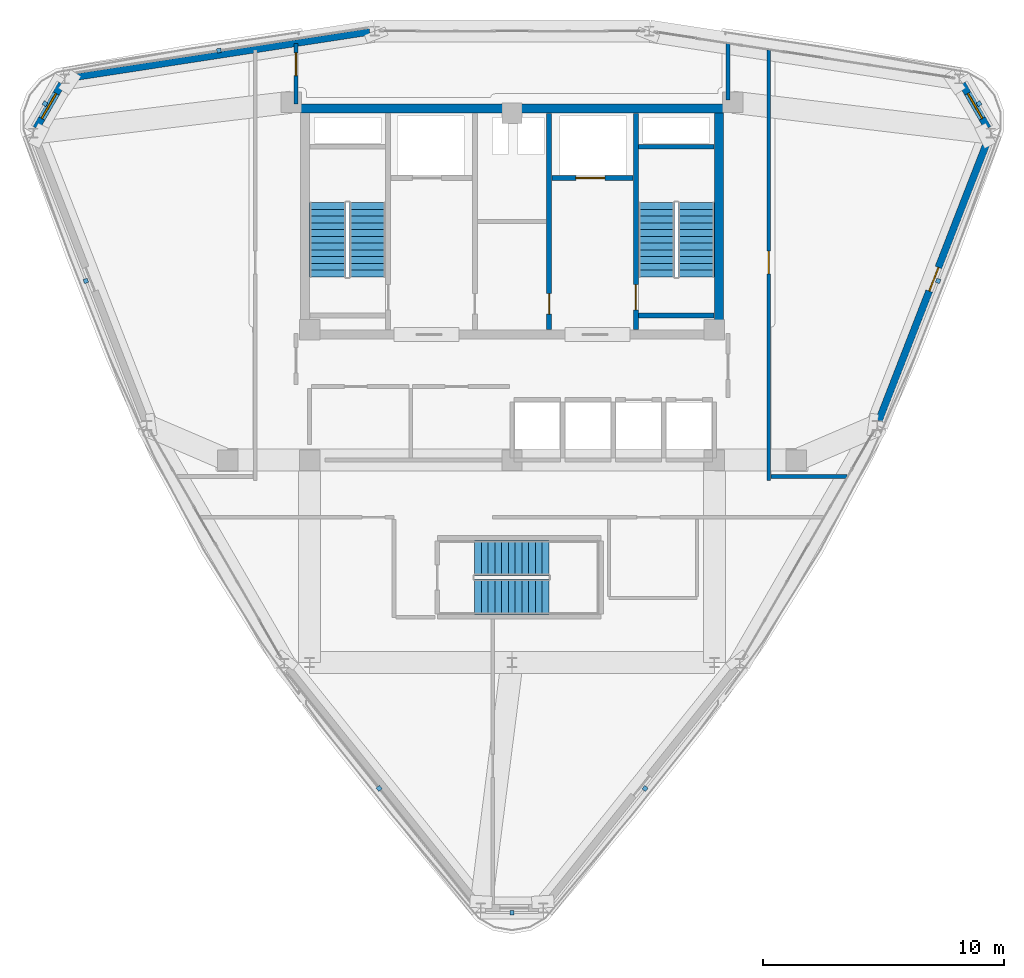
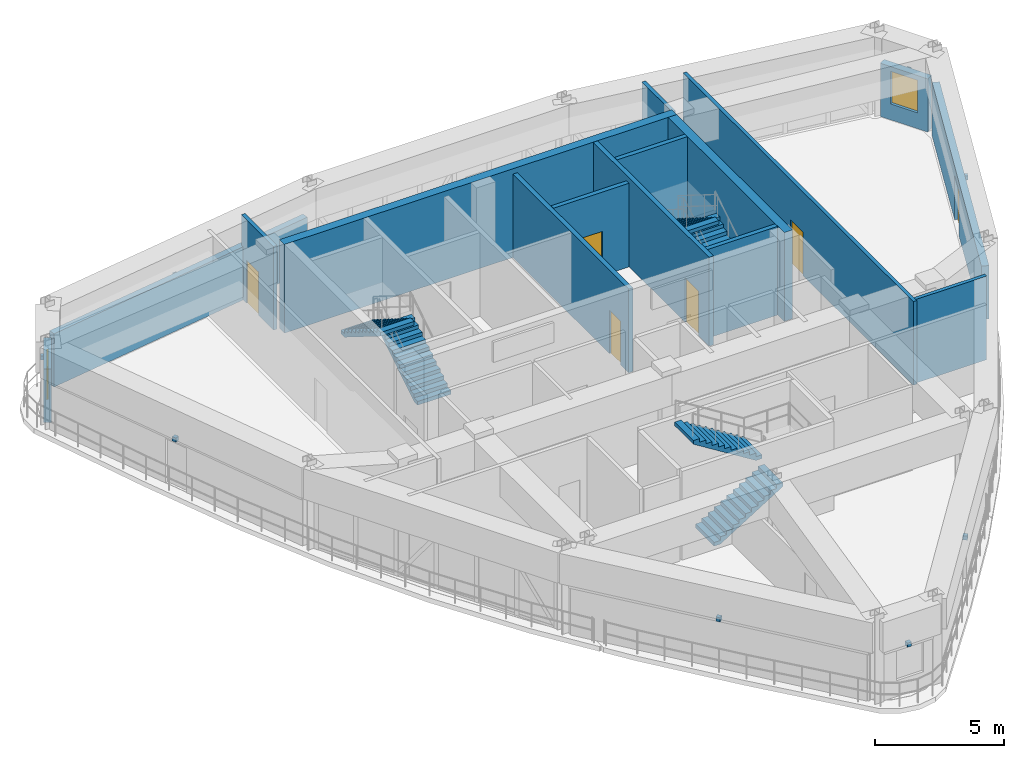
# One storey, part 14 of 18: 15 walls, 8 discrete accessories, 6 doors, 6 stair flights, 2 windows, 8 openings, 3 elements without a shape of their own.
"""IFC4 building model written with IfcOpenShell, lengths in metres."""

from ifc_helpers import new_model, si_unit, derived_unit, direction, frame, frame_2d, origin, origin_2d, place, context, subcontext, project, spatial, polyline, rectangle, outline, extrude, source, transform, mapped, material, layer, layer_set, type_object, element, fill, aggregate, save


model = new_model("IFC4")

# Units and contexts
model_context = context("Model", 3, precision=1e-05, world=origin(), true_north=direction((0.0, 1.0)))
body_context = subcontext(model_context, "Body", "Model", "MODEL_VIEW")
ifc_project = project(units=[si_unit("LENGTHUNIT", "METRE"), si_unit("AREAUNIT", "SQUARE_METRE"), si_unit("VOLUMEUNIT", "CUBIC_METRE"), si_unit("PLANEANGLEUNIT", "RADIAN"), si_unit("MASSUNIT", "GRAM", prefix="KILO"), derived_unit("THERMALTRANSMITTANCEUNIT", [(si_unit("POWERUNIT", "WATT"), 1), (si_unit("LENGTHUNIT", "METRE"), -2), (si_unit("THERMODYNAMICTEMPERATUREUNIT", "KELVIN"), -1)])], contexts=[model_context])

# Site, building, storey
site_placement = place(None, origin())
site = spatial("IfcSite", under=ifc_project, at=site_placement, CompositionType="ELEMENT")
building_placement = place(site_placement, origin())
building = spatial("IfcBuilding", under=site, at=building_placement, Name="Korsvarv Bourse and Concert Hall", CompositionType="ELEMENT")
storey_placement = place(building_placement, frame((0.0, 0.0, 275.39990234375)))
storey = spatial("IfcBuildingStorey", under=building, at=storey_placement, Name="L72", CompositionType="ELEMENT", Elevation=275.39990234375)

# Walls
ifc_material_1 = material(Name="Concrete C50/60", Category="concrete")
ifc_layer_1 = layer(ifc_material_1, 0.3798828125)
ifc_layer_set_1 = layer_set([ifc_layer_1], Name="Concrete C50/60")
wall_type_1 = type_object("IfcWallType", Name="WL-CORE-380", PredefinedType="SHEAR", material=ifc_layer_set_1)
wall_1_placement = place(storey_placement, frame((27.219970703125, 46.989990234375, 0.0), z_axis=(0.0, 0.0, 1.0), x_axis=(1.0, 0.0, 0.0)))
element("IfcWall", 1, at=wall_1_placement, inside=storey, type_object=wall_type_1, Name="L72 North Core Shear Wall", PredefinedType="SHEAR", context=body_context, shape_type="SweptSolid", body=[
    extrude(rectangle(XDim=17.56005859375, YDim=0.3798828125, at=frame_2d((8.780029296875, 0.0))), origin(), (0.0, 0.0, 1.0), 4.2001953125),
])
wall_2_placement = place(storey_placement, frame((44.590087890625, 37.800048828125, 0.0), z_axis=(0.0, 0.0, 1.0), x_axis=(0.0, 1.0, 0.0)))
element("IfcWall", 2, at=wall_2_placement, inside=storey, type_object=wall_type_1, Name="L72 East Core Shear Wall", PredefinedType="SHEAR", context=body_context, shape_type="SweptSolid", body=[
    extrude(rectangle(XDim=9.0, YDim=0.3798828125, at=frame_2d((4.5, 0.0))), origin(), (0.0, 0.0, 1.0), 4.2001953125),
])

# Wall, opening, door
wall_3_placement = place(storey_placement, frame((41.139892578125, 37.81005859375, 0.0), z_axis=(0.0, 0.0, 1.0), x_axis=(0.0, 1.0, 0.0)))
wall_3 = element("IfcWall", 3, at=wall_3_placement, inside=storey, type_object=wall_type_1, Name="L72 stair shaft structural wall W-L72-ST2-W", PredefinedType="SHEAR", context=body_context, shape_type="SweptSolid", body=[
    extrude(rectangle(XDim=8.97998046875, YDim=0.199951171875, at=frame_2d((4.489990234375, 0.0))), origin(), (0.0, 0.0, 1.0), 4.2001953125),
])
opening_1_placement = place(wall_3_placement, frame((0.820068359375, 0.0, 0.0)))
opening_1 = element("IfcOpeningElement", 4, at=opening_1_placement, cuts=wall_3, Name="Opening D-01", PredefinedType="OPENING", context=body_context, shape_type="SweptSolid", body=[
    extrude(rectangle(XDim=1.050048828125, YDim=2.10009765625, at=frame_2d((0.52490234375, 1.050048828125))), frame((0.0, 0.10986328125, 0.0), z_axis=(0.0, -1.0, 0.0), x_axis=(1.0, 0.0, 0.0)), (0.0, 0.0, 1.0), 0.219970703125),
])
ifc_material_2 = material(Name="Steel S355 fire door", Category="steel")
door_type_1 = type_object("IfcDoorType", Name="DR-FD60", OperationType="NOTDEFINED", PredefinedType="DOOR", material=ifc_material_2)
door_1_placement = place(opening_1_placement, frame((1.050048828125, 0.0, 0.0), z_axis=(0.0, 0.0, 1.0), x_axis=(-1.0, 0.0, 0.0)))
door_1 = element("IfcDoor", 5, at=door_1_placement, inside=storey, type_object=door_type_1, Name="L72 interior door DR-L72-ST2", OperationType="SINGLE_SWING_RIGHT", OverallHeight=2.10009765625, OverallWidth=1.050048828125, PredefinedType="DOOR", context=body_context, shape_type="SweptSolid", body=[
    extrude(rectangle(XDim=1.050048828125, YDim=2.10009765625, at=frame_2d((0.52490234375, 1.050048828125))), frame((0.0, 0.02490234375, 0.0), z_axis=(0.0, -1.0, 0.0), x_axis=(1.0, 0.0, 0.0)), (0.0, 0.0, 1.0), 0.050048828125),
])
fill(opening_1, door_1)

# Walls
for number, where, z_axis, x_axis, name in (
    (6, (41.25, 45.39990234375, 0.0), (0.0, 0.0, 1.0), (1.0, 0.0, 0.0), "L72 stair shaft structural wall W-L72-ST2-N"),
    (7, (41.25, 38.39990234375, 0.0), (0.0, 0.0, 1.0), (1.0, 0.0, 0.0), "L72 stair shaft structural wall W-L72-ST2-S"),
):
    element("IfcWall", number, at=place(storey_placement, frame(where, z_axis=z_axis, x_axis=x_axis)), inside=storey, type_object=wall_type_1, Name=name, PredefinedType="SHEAR", context=body_context, shape_type="SweptSolid", body=[
        extrude(rectangle(XDim=3.139892578125, YDim=0.199951171875, at=frame_2d((1.56982421875, 0.0))), origin(), (0.0, 0.0, 1.0), 4.2001953125),
    ])

# Wall, opening, window
ifc_material_3 = material(Name="Precast concrete C45/55 with terracotta rainscreen", Category="concrete")
ifc_layer_2 = layer(ifc_material_3, 0.300048828125)
ifc_layer_set_2 = layer_set([ifc_layer_2], Name="Precast concrete C45/55 with terracotta rainscreen")
wall_type_2 = type_object("IfcWallType", Name="WL-EXT-TC1", PredefinedType="SOLIDWALL", material=ifc_layer_set_2)
wall_4_placement = place(storey_placement, frame((55.7451171875, 46.17236328125, 0.0), z_axis=(0.0, 0.0, 1.0), x_axis=(-0.499967640965, 0.866044085476, 0.0)))
wall_4 = element("IfcWall", 8, at=wall_4_placement, inside=storey, type_object=wall_type_2, Name="L72 terracotta exterior wall EW-L72-B01", PredefinedType="SOLIDWALL", context=body_context, shape_type="SweptSolid", body=[
    extrude(rectangle(XDim=2.126220703125, YDim=0.300048828125, at=frame_2d((1.06298828125, 0.0))), origin(), (0.0, 0.0, 1.0), 2.52001953125),
])
opening_2_placement = place(wall_4_placement, frame((0.463134765625, 0.0, 0.75)))
opening_2 = element("IfcOpeningElement", 9, at=opening_2_placement, cuts=wall_4, Name="Opening W-16", PredefinedType="OPENING", context=body_context, shape_type="SweptSolid", body=[
    extrude(rectangle(XDim=1.199951171875, YDim=1.550048828125, at=frame_2d((0.60009765625, 0.77490234375))), frame((0.0, 0.16015625, 0.0), z_axis=(0.0, -1.0, 0.0), x_axis=(1.0, 0.0, 0.0)), (0.0, 0.0, 1.0), 0.320068359375),
])
ifc_material_4 = material(Name="Thermally broken aluminium frame with triple low-E glass", Category="glass")
window_type = type_object("IfcWindowType", Name="WIN-TW2-1200X1550", PartitioningType="SINGLE_PANEL", PredefinedType="WINDOW", material=ifc_material_4)
window_1_placement = place(opening_2_placement, origin())
window_1 = element("IfcWindow", 10, at=window_1_placement, inside=storey, type_object=window_type, Name="L72 punched facade window W-16", OverallHeight=1.550048828125, OverallWidth=1.199951171875, PartitioningType="SINGLE_PANEL", PredefinedType="WINDOW", context=body_context, shape_type="SweptSolid", body=[
    extrude(rectangle(XDim=1.199951171875, YDim=1.550048828125, at=frame_2d((0.60009765625, 0.77490234375))), frame((0.0, 0.030029296875, 0.0), z_axis=(0.0, -1.0, 0.0), x_axis=(1.0, 0.0, 0.0)), (0.0, 0.0, 1.0), 0.06005859375),
])
fill(opening_2, window_1)

wall_5_placement = place(storey_placement, frame((17.31787109375, 48.013671875, 0.0), z_axis=(0.0, 0.0, 1.0), x_axis=(-0.499967640965, -0.866044085476, 0.0)))
wall_5 = element("IfcWall", 11, at=wall_5_placement, inside=storey, type_object=wall_type_2, Name="L72 terracotta exterior wall EW-L72-B05", PredefinedType="SOLIDWALL", context=body_context, shape_type="SweptSolid", body=[
    extrude(rectangle(XDim=2.126220703125, YDim=0.300048828125, at=frame_2d((1.06298828125, 0.0))), origin(), (0.0, 0.0, 1.0), 2.52001953125),
])
opening_3_placement = place(wall_5_placement, frame((0.463134765625, 0.0, 0.75)))
opening_3 = element("IfcOpeningElement", 12, at=opening_3_placement, cuts=wall_5, Name="Opening W-16", PredefinedType="OPENING", context=body_context, shape_type="SweptSolid", body=[
    extrude(rectangle(XDim=1.199951171875, YDim=1.550048828125, at=frame_2d((0.60009765625, 0.77490234375))), frame((0.0, 0.16015625, 0.0), z_axis=(0.0, -1.0, 0.0), x_axis=(1.0, 0.0, 0.0)), (0.0, 0.0, 1.0), 0.320068359375),
])
window_2_placement = place(opening_3_placement, origin())
window_2 = element("IfcWindow", 13, at=window_2_placement, inside=storey, type_object=window_type, Name="L72 punched facade window W-16", OverallHeight=1.550048828125, OverallWidth=1.199951171875, PartitioningType="SINGLE_PANEL", PredefinedType="WINDOW", context=body_context, shape_type="SweptSolid", body=[
    extrude(rectangle(XDim=1.199951171875, YDim=1.550048828125, at=frame_2d((0.60009765625, 0.77490234375))), frame((0.0, 0.030029296875, 0.0), z_axis=(0.0, -1.0, 0.0), x_axis=(1.0, 0.0, 0.0)), (0.0, 0.0, 1.0), 0.06005859375),
])
fill(opening_3, window_2)

# Wall, opening, door
wall_6_placement = place(storey_placement, frame((51.226318359375, 34.040283203125, 0.0), z_axis=(0.0, 0.0, 1.0), x_axis=(0.362340410402, 0.932045828803, 0.0)))
wall_6 = element("IfcWall", 14, at=wall_6_placement, inside=storey, type_object=wall_type_2, Name="L72 terracotta exterior wall EW-L72-B12", PredefinedType="SOLIDWALL", context=body_context, shape_type="SweptSolid", body=[
    extrude(rectangle(XDim=12.57763671875, YDim=0.300048828125, at=frame_2d((6.288818359375, 0.0))), origin(), (0.0, 0.0, 1.0), 2.52001953125),
])
opening_4_placement = place(wall_6_placement, frame((5.763916015625, 0.0, 0.0)))
opening_4 = element("IfcOpeningElement", 15, at=opening_4_placement, cuts=wall_6, Name="Opening ED-02", PredefinedType="OPENING", context=body_context, shape_type="SweptSolid", body=[
    extrude(rectangle(XDim=1.050048828125, YDim=2.10009765625, at=frame_2d((0.52490234375, 1.050048828125))), frame((0.0, 0.16015625, 0.0), z_axis=(0.0, -1.0, 0.0), x_axis=(1.0, 0.0, 0.0)), (0.0, 0.0, 1.0), 0.320068359375),
])
ifc_material_5 = material(Name="Thermally broken anodised aluminium and laminated safety glass", Category="aluminium")
door_type_2 = type_object("IfcDoorType", Name="DR-EXT-TERR", OperationType="NOTDEFINED", PredefinedType="DOOR", material=ifc_material_5)
door_2_placement = place(opening_4_placement, frame((1.050048828125, 0.0, 0.0), z_axis=(0.0, 0.0, 1.0), x_axis=(-1.0, 0.0, 0.0)))
door_2 = element("IfcDoor", 16, at=door_2_placement, inside=storey, type_object=door_type_2, Name="L72 Sky Garden Terrace Access Door", OperationType="SINGLE_SWING_RIGHT", OverallHeight=2.10009765625, OverallWidth=1.050048828125, PredefinedType="DOOR", context=body_context, shape_type="SweptSolid", body=[
    extrude(rectangle(XDim=1.050048828125, YDim=2.10009765625, at=frame_2d((0.52490234375, 1.050048828125))), frame((0.0, 0.02490234375, 0.0), z_axis=(0.0, -1.0, 0.0), x_axis=(1.0, 0.0, 0.0)), (0.0, 0.0, 1.0), 0.050048828125),
])
fill(opening_4, door_2)

# Wall
ifc_material_6 = material(Name="Precast concrete C45/55 with fluted terracotta pier", Category="concrete")
ifc_layer_3 = layer(ifc_material_6, 0.280029296875)
ifc_layer_set_3 = layer_set([ifc_layer_3], Name="Precast concrete C45/55 with fluted terracotta pier")
wall_type_3 = type_object("IfcWallType", Name="WL-EXT-TC2", PredefinedType="SOLIDWALL", material=ifc_layer_set_3)
wall_7_placement = place(storey_placement, frame((30.09521484375, 50.168212890625, 0.0), z_axis=(0.0, 0.0, 1.0), x_axis=(-0.988345027655, -0.152230438186, 0.0)))
element("IfcWall", 17, at=wall_7_placement, inside=storey, type_object=wall_type_3, Name="L72 terracotta exterior wall EW-L72-B04", PredefinedType="SOLIDWALL", context=body_context, shape_type="SweptSolid", body=[
    extrude(rectangle(XDim=12.600830078125, YDim=0.280029296875, at=frame_2d((6.30029296875, 0.0))), origin(), (0.0, 0.0, 1.0), 2.52001953125),
])

# Wall, opening, door
ifc_material_7 = material(Name="Reinforced concrete blockwork C35/45 fire wall", Category="concrete")
ifc_layer_4 = layer(ifc_material_7, 0.199951171875)
ifc_layer_set_4 = layer_set([ifc_layer_4], Name="Reinforced concrete blockwork C35/45 fire wall")
wall_type_4 = type_object("IfcWallType", Name="WL-INT-EI120", PredefinedType="PARTITIONING", material=ifc_layer_set_4)
wall_8_placement = place(storey_placement, frame((37.64990234375, 44.10009765625, 0.0), z_axis=(0.0, 0.0, 1.0), x_axis=(1.0, 0.0, 0.0)))
wall_8 = element("IfcWall", 18, at=wall_8_placement, inside=storey, type_object=wall_type_4, Name="L72 interior partition wall W-L72-FF2-S", PredefinedType="PARTITIONING", context=body_context, shape_type="SweptSolid", body=[
    extrude(rectangle(XDim=3.380126953125, YDim=0.199951171875, at=frame_2d((1.68994140625, 0.0))), origin(), (0.0, 0.0, 1.0), 3.960205078125),
])
opening_5_placement = place(wall_8_placement, frame((1.0, 0.0, 0.0)))
opening_5 = element("IfcOpeningElement", 19, at=opening_5_placement, cuts=wall_8, Name="Opening LD-1", PredefinedType="OPENING", context=body_context, shape_type="SweptSolid", body=[
    extrude(rectangle(XDim=1.199951171875, YDim=2.10009765625, at=frame_2d((0.60009765625, 1.050048828125))), frame((0.0, 0.10986328125, 0.0), z_axis=(0.0, -1.0, 0.0), x_axis=(1.0, 0.0, 0.0)), (0.0, 0.0, 1.0), 0.219970703125),
])
ifc_material_8 = material(Name="Stainless Steel S355 firefighting lift landing door", Category="steel")
door_type_3 = type_object("IfcDoorType", Name="DR-LIFT-FF", OperationType="DOUBLE_DOOR_SLIDING", PredefinedType="DOOR", material=ifc_material_8)
door_3_placement = place(opening_5_placement, origin())
door_3 = element("IfcDoor", 20, at=door_3_placement, inside=storey, type_object=door_type_3, Name="L72 lift sliding landing door LD-L72-FF2", OperationType="DOUBLE_DOOR_SLIDING", OverallHeight=2.10009765625, OverallWidth=1.199951171875, PredefinedType="DOOR", context=body_context, shape_type="SweptSolid", body=[
    extrude(rectangle(XDim=1.199951171875, YDim=2.10009765625, at=frame_2d((0.60009765625, 1.050048828125))), frame((0.0, 0.02490234375, 0.0), z_axis=(0.0, -1.0, 0.0), x_axis=(1.0, 0.0, 0.0)), (0.0, 0.0, 1.0), 0.050048828125),
])
fill(opening_5, door_3)

wall_9_placement = place(storey_placement, frame((37.5400390625, 37.81005859375, 0.0), z_axis=(0.0, 0.0, 1.0), x_axis=(0.0, 1.0, 0.0)))
wall_9 = element("IfcWall", 21, at=wall_9_placement, inside=storey, type_object=wall_type_4, Name="L72 interior partition wall W-L72-CSB-E", PredefinedType="PARTITIONING", context=body_context, shape_type="SweptSolid", body=[
    extrude(rectangle(XDim=8.97998046875, YDim=0.199951171875, at=frame_2d((4.489990234375, 0.0))), origin(), (0.0, 0.0, 1.0), 3.960205078125),
])
opening_6_placement = place(wall_9_placement, frame((0.64990234375, 0.0, 0.0)))
opening_6 = element("IfcOpeningElement", 22, at=opening_6_placement, cuts=wall_9, Name="Opening D-05", PredefinedType="OPENING", context=body_context, shape_type="SweptSolid", body=[
    extrude(rectangle(XDim=0.85009765625, YDim=2.050048828125, at=frame_2d((0.425048828125, 1.02490234375))), frame((0.0, 0.10986328125, 0.0), z_axis=(0.0, -1.0, 0.0), x_axis=(1.0, 0.0, 0.0)), (0.0, 0.0, 1.0), 0.219970703125),
])
door_type_4 = type_object("IfcDoorType", Name="DR-FD60-850X2050", OperationType="NOTDEFINED", PredefinedType="DOOR", material=ifc_material_2)
door_4_placement = place(opening_6_placement, origin())
door_4 = element("IfcDoor", 23, at=door_4_placement, inside=storey, type_object=door_type_4, Name="L72 interior door DR-L72-CSB2", OperationType="SINGLE_SWING_RIGHT", OverallHeight=2.050048828125, OverallWidth=0.85009765625, PredefinedType="DOOR", context=body_context, shape_type="SweptSolid", body=[
    extrude(rectangle(XDim=0.85009765625, YDim=2.050048828125, at=frame_2d((0.425048828125, 1.02490234375))), frame((0.0, 0.02490234375, 0.0), z_axis=(0.0, -1.0, 0.0), x_axis=(1.0, 0.0, 0.0)), (0.0, 0.0, 1.0), 0.050048828125),
])
fill(opening_6, door_4)

ifc_material_9 = material(Name="Double-stud fire-rated acoustic partition", Category="gypsum")
ifc_layer_5 = layer(ifc_material_9, 0.159912109375)
ifc_layer_set_5 = layer_set([ifc_layer_5], Name="Double-stud fire-rated acoustic partition")
wall_type_5 = type_object("IfcWallType", Name="WL-INT-EI60", PredefinedType="PARTITIONING", material=ifc_layer_set_5)
wall_10_placement = place(storey_placement, frame((46.655029296875, 31.56005859375, 0.0), z_axis=(0.0, 0.0, 1.0), x_axis=(0.0, 1.0, 0.0)))
wall_10 = element("IfcWall", 24, at=wall_10_placement, inside=storey, type_object=wall_type_5, Name="L72 interior partition wall W-L72-LKCOR-01", PredefinedType="PARTITIONING", context=body_context, shape_type="SweptSolid", body=[
    extrude(rectangle(XDim=17.8564453125, YDim=0.159912109375, at=frame_2d((8.92822265625, 0.0))), origin(), (0.0, 0.0, 1.0), 3.960205078125),
])
opening_7_placement = place(wall_10_placement, frame((8.561767578125, 0.0, 0.0)))
opening_7 = element("IfcOpeningElement", 25, at=opening_7_placement, cuts=wall_10, Name="Opening D-02", PredefinedType="OPENING", context=body_context, shape_type="SweptSolid", body=[
    extrude(rectangle(XDim=0.949951171875, YDim=2.050048828125, at=frame_2d((0.47509765625, 1.02490234375))), frame((0.0, 0.08984375, 0.0), z_axis=(0.0, -1.0, 0.0), x_axis=(1.0, 0.0, 0.0)), (0.0, 0.0, 1.0), 0.179931640625),
])
ifc_material_10 = material(Name="Timber and steel acoustic fire door", Category="wood")
door_type_5 = type_object("IfcDoorType", Name="DR-FD30", OperationType="NOTDEFINED", PredefinedType="DOOR", material=ifc_material_10)
door_5_placement = place(opening_7_placement, origin())
door_5 = element("IfcDoor", 26, at=door_5_placement, inside=storey, type_object=door_type_5, Name="L72 interior door DR-L72-LKCOR-LKE1", OperationType="SINGLE_SWING_RIGHT", OverallHeight=2.050048828125, OverallWidth=0.949951171875, PredefinedType="DOOR", context=body_context, shape_type="SweptSolid", body=[
    extrude(rectangle(XDim=0.949951171875, YDim=2.050048828125, at=frame_2d((0.47509765625, 1.02490234375))), frame((0.0, 0.02490234375, 0.0), z_axis=(0.0, -1.0, 0.0), x_axis=(1.0, 0.0, 0.0)), (0.0, 0.0, 1.0), 0.050048828125),
])
fill(opening_7, door_5)

# Wall
wall_11_placement = place(storey_placement, frame((46.737060546875, 31.715087890625, 0.0), z_axis=(0.0, 0.0, 1.0), x_axis=(1.0, 0.0, 0.0)))
element("IfcWall", 27, at=wall_11_placement, inside=storey, type_object=wall_type_5, Name="L72 interior partition wall W-L72-LKCOR-06", PredefinedType="PARTITIONING", context=body_context, shape_type="SweptSolid", body=[
    extrude(rectangle(XDim=3.16552734375, YDim=0.159912109375, at=frame_2d((1.582763671875, 0.0))), origin(), (0.0, 0.0, 1.0), 3.960205078125),
])

# Wall, opening, door
wall_12_placement = place(storey_placement, frame((27.034912109375, 47.18310546875, 0.0), z_axis=(0.0, 0.0, 1.0), x_axis=(0.0, 1.0, 0.0)))
wall_12 = element("IfcWall", 28, at=wall_12_placement, inside=storey, type_object=wall_type_5, Name="L72 interior partition wall W-L72-LKCOR-08", PredefinedType="PARTITIONING", context=body_context, shape_type="SweptSolid", body=[
    extrude(rectangle(XDim=2.49365234375, YDim=0.159912109375, at=frame_2d((1.246826171875, 0.0))), origin(), (0.0, 0.0, 1.0), 3.960205078125),
])
opening_8_placement = place(wall_12_placement, frame((1.163818359375, 0.0, 0.0)))
opening_8 = element("IfcOpeningElement", 29, at=opening_8_placement, cuts=wall_12, Name="Opening D-02", PredefinedType="OPENING", context=body_context, shape_type="SweptSolid", body=[
    extrude(rectangle(XDim=0.949951171875, YDim=2.050048828125, at=frame_2d((0.47509765625, 1.02490234375))), frame((0.0, 0.08984375, 0.0), z_axis=(0.0, -1.0, 0.0), x_axis=(1.0, 0.0, 0.0)), (0.0, 0.0, 1.0), 0.179931640625),
])
door_6_placement = place(opening_8_placement, origin())
door_6 = element("IfcDoor", 30, at=door_6_placement, inside=storey, type_object=door_type_5, Name="L72 interior door DR-L72-LKCOR-NWG4", OperationType="SINGLE_SWING_RIGHT", OverallHeight=2.050048828125, OverallWidth=0.949951171875, PredefinedType="DOOR", context=body_context, shape_type="SweptSolid", body=[
    extrude(rectangle(XDim=0.949951171875, YDim=2.050048828125, at=frame_2d((0.47509765625, 1.02490234375))), frame((0.0, 0.02490234375, 0.0), z_axis=(0.0, -1.0, 0.0), x_axis=(1.0, 0.0, 0.0)), (0.0, 0.0, 1.0), 0.050048828125),
])
fill(opening_8, door_6)

# Wall
wall_13_placement = place(storey_placement, frame((44.965087890625, 47.340087890625, 0.0), z_axis=(0.0, 0.0, 1.0), x_axis=(0.0, 1.0, 0.0)))
element("IfcWall", 31, at=wall_13_placement, inside=storey, type_object=wall_type_5, Name="L72 interior partition wall W-L72-LKCOR-09", PredefinedType="PARTITIONING", context=body_context, shape_type="SweptSolid", body=[
    extrude(rectangle(XDim=2.336669921875, YDim=0.159912109375, at=frame_2d((1.16845703125, 0.0))), origin(), (0.0, 0.0, 1.0), 3.960205078125),
])

# Stair, stair flights
ifc_material_11 = material(Name="Precast concrete C45/55", Category="concrete")
stair_type_1 = type_object("IfcStairType", Name="STR-TYPE-05", PredefinedType="HALF_TURN_STAIR", material=ifc_material_11)
stair_1_placement = place(storey_placement, origin())
stair_1 = element("IfcStair", 32, at=stair_1_placement, inside=storey, type_object=stair_type_1, Name="L72 Tower West Exit Stair ST-T1", PredefinedType="HALF_TURN_STAIR")
stair_flight_type_1 = type_object("IfcStairFlightType", Name="FLT-TYPE-05", PredefinedType="STRAIGHT", material=ifc_material_11)
stair_flight_1_placement = place(storey_placement, frame((30.010009765625, 40.0, 0.0), z_axis=(0.0, 0.0, 1.0), x_axis=(0.0, 1.0, 0.0)))
stair_flight_1 = element("IfcStairFlight", 33, at=stair_flight_1_placement, type_object=stair_flight_type_1, Name="ST-T1 flight 1", NumberOfRisers=12, NumberOfTreads=11, PredefinedType="STRAIGHT", RiserHeight=0.175, TreadLength=0.28, context=body_context, shape_type="SweptSolid", body=[
    extrude(outline(polyline([(0.0, 0.0), (0.0, 0.175048828125), (0.280029296875, 0.175048828125), (0.280029296875, 0.35009765625), (0.56005859375, 0.35009765625), (0.56005859375, 0.52490234375), (0.840087890625, 0.52490234375), (0.840087890625, 0.699951171875), (1.1201171875, 0.699951171875), (1.1201171875, 0.875), (1.39990234375, 0.875), (1.39990234375, 1.050048828125), (1.679931640625, 1.050048828125), (1.679931640625, 1.22509765625), (1.9599609375, 1.22509765625), (1.9599609375, 1.39990234375), (2.239990234375, 1.39990234375), (2.239990234375, 1.574951171875), (2.52001953125, 1.574951171875), (2.52001953125, 1.75), (2.800048828125, 1.75), (2.800048828125, 1.925048828125), (3.080078125, 1.925048828125), (3.080078125, 2.10009765625), (3.080078125, 1.748291015625), (0.28271484375, 0.0), (0.0, 0.0)])), frame((0.0, 0.75, 0.0), z_axis=(0.0, -1.0, 0.0), x_axis=(1.0, 0.0, 0.0)), (0.0, 0.0, 1.0), 1.5),
])
stair_flight_2_placement = place(storey_placement, frame((28.35009765625, 43.080078125, 2.10009765625), z_axis=(0.0, 0.0, 1.0), x_axis=(0.0, -1.0, 0.0)))
stair_flight_2 = element("IfcStairFlight", 34, at=stair_flight_2_placement, type_object=stair_flight_type_1, Name="ST-T1 flight 2", NumberOfRisers=12, NumberOfTreads=11, PredefinedType="STRAIGHT", RiserHeight=0.175, TreadLength=0.28, context=body_context, shape_type="SweptSolid", body=[
    extrude(outline(polyline([(0.0, 0.0), (0.0, 0.175048828125), (0.280029296875, 0.175048828125), (0.280029296875, 0.35009765625), (0.56005859375, 0.35009765625), (0.56005859375, 0.52490234375), (0.840087890625, 0.52490234375), (0.840087890625, 0.699951171875), (1.1201171875, 0.699951171875), (1.1201171875, 0.875), (1.39990234375, 0.875), (1.39990234375, 1.050048828125), (1.679931640625, 1.050048828125), (1.679931640625, 1.22509765625), (1.9599609375, 1.22509765625), (1.9599609375, 1.39990234375), (2.239990234375, 1.39990234375), (2.239990234375, 1.574951171875), (2.52001953125, 1.574951171875), (2.52001953125, 1.75), (2.800048828125, 1.75), (2.800048828125, 1.925048828125), (3.080078125, 1.925048828125), (3.080078125, 2.10009765625), (3.080078125, 1.748291015625), (0.28271484375, 0.0), (0.0, 0.0)])), frame((0.0, 0.75, 0.0), z_axis=(0.0, -1.0, 0.0), x_axis=(1.0, 0.0, 0.0)), (0.0, 0.0, 1.0), 1.5),
])
aggregate(stair_1, [stair_flight_1, stair_flight_2])

stair_2_placement = place(storey_placement, origin())
stair_2 = element("IfcStair", 35, at=stair_2_placement, inside=storey, type_object=stair_type_1, Name="L72 Tower East Exit Stair ST-T2", PredefinedType="HALF_TURN_STAIR")
stair_flight_3_placement = place(storey_placement, frame((43.64990234375, 40.0, 0.0), z_axis=(0.0, 0.0, 1.0), x_axis=(0.0, 1.0, 0.0)))
stair_flight_3 = element("IfcStairFlight", 36, at=stair_flight_3_placement, type_object=stair_flight_type_1, Name="ST-T2 flight 1", NumberOfRisers=12, NumberOfTreads=11, PredefinedType="STRAIGHT", RiserHeight=0.175, TreadLength=0.28, context=body_context, shape_type="SweptSolid", body=[
    extrude(outline(polyline([(0.0, 0.0), (0.0, 0.175048828125), (0.280029296875, 0.175048828125), (0.280029296875, 0.35009765625), (0.56005859375, 0.35009765625), (0.56005859375, 0.52490234375), (0.840087890625, 0.52490234375), (0.840087890625, 0.699951171875), (1.1201171875, 0.699951171875), (1.1201171875, 0.875), (1.39990234375, 0.875), (1.39990234375, 1.050048828125), (1.679931640625, 1.050048828125), (1.679931640625, 1.22509765625), (1.9599609375, 1.22509765625), (1.9599609375, 1.39990234375), (2.239990234375, 1.39990234375), (2.239990234375, 1.574951171875), (2.52001953125, 1.574951171875), (2.52001953125, 1.75), (2.800048828125, 1.75), (2.800048828125, 1.925048828125), (3.080078125, 1.925048828125), (3.080078125, 2.10009765625), (3.080078125, 1.748291015625), (0.28271484375, 0.0), (0.0, 0.0)])), frame((0.0, 0.75, 0.0), z_axis=(0.0, -1.0, 0.0), x_axis=(1.0, 0.0, 0.0)), (0.0, 0.0, 1.0), 1.5),
])
stair_flight_4_placement = place(storey_placement, frame((41.989990234375, 43.080078125, 2.10009765625), z_axis=(0.0, 0.0, 1.0), x_axis=(0.0, -1.0, 0.0)))
stair_flight_4 = element("IfcStairFlight", 37, at=stair_flight_4_placement, type_object=stair_flight_type_1, Name="ST-T2 flight 2", NumberOfRisers=12, NumberOfTreads=11, PredefinedType="STRAIGHT", RiserHeight=0.175, TreadLength=0.28, context=body_context, shape_type="SweptSolid", body=[
    extrude(outline(polyline([(0.0, 0.0), (0.0, 0.175048828125), (0.280029296875, 0.175048828125), (0.280029296875, 0.35009765625), (0.56005859375, 0.35009765625), (0.56005859375, 0.52490234375), (0.840087890625, 0.52490234375), (0.840087890625, 0.699951171875), (1.1201171875, 0.699951171875), (1.1201171875, 0.875), (1.39990234375, 0.875), (1.39990234375, 1.050048828125), (1.679931640625, 1.050048828125), (1.679931640625, 1.22509765625), (1.9599609375, 1.22509765625), (1.9599609375, 1.39990234375), (2.239990234375, 1.39990234375), (2.239990234375, 1.574951171875), (2.52001953125, 1.574951171875), (2.52001953125, 1.75), (2.800048828125, 1.75), (2.800048828125, 1.925048828125), (3.080078125, 1.925048828125), (3.080078125, 2.10009765625), (3.080078125, 1.748291015625), (0.28271484375, 0.0), (0.0, 0.0)])), frame((0.0, 0.75, 0.0), z_axis=(0.0, -1.0, 0.0), x_axis=(1.0, 0.0, 0.0)), (0.0, 0.0, 1.0), 1.5),
])
aggregate(stair_2, [stair_flight_3, stair_flight_4])

stair_type_2 = type_object("IfcStairType", Name="STR-TYPE-08", PredefinedType="HALF_TURN_STAIR", material=ifc_material_11)
stair_3_placement = place(storey_placement, origin())
stair_3 = element("IfcStair", 38, at=stair_3_placement, inside=storey, type_object=stair_type_2, Name="L72 Public Lookout Feature Stair ST-LK1", PredefinedType="HALF_TURN_STAIR")
stair_flight_type_2 = type_object("IfcStairFlightType", Name="FLT-TYPE-08", PredefinedType="STRAIGHT", material=ifc_material_11)
stair_flight_5_placement = place(storey_placement, frame((34.449951171875, 26.72509765625, 0.0), z_axis=(0.0, 0.0, 1.0), x_axis=(1.0, 0.0, 0.0)))
stair_flight_5 = element("IfcStairFlight", 39, at=stair_flight_5_placement, type_object=stair_flight_type_2, Name="ST-LK1 flight 1", NumberOfRisers=12, NumberOfTreads=11, PredefinedType="STRAIGHT", RiserHeight=0.175, TreadLength=0.28, context=body_context, shape_type="SweptSolid", body=[
    extrude(outline(polyline([(0.0, 0.0), (0.0, 0.175048828125), (0.280029296875, 0.175048828125), (0.280029296875, 0.35009765625), (0.56005859375, 0.35009765625), (0.56005859375, 0.52490234375), (0.840087890625, 0.52490234375), (0.840087890625, 0.699951171875), (1.1201171875, 0.699951171875), (1.1201171875, 0.875), (1.39990234375, 0.875), (1.39990234375, 1.050048828125), (1.679931640625, 1.050048828125), (1.679931640625, 1.22509765625), (1.9599609375, 1.22509765625), (1.9599609375, 1.39990234375), (2.239990234375, 1.39990234375), (2.239990234375, 1.574951171875), (2.52001953125, 1.574951171875), (2.52001953125, 1.75), (2.800048828125, 1.75), (2.800048828125, 1.925048828125), (3.080078125, 1.925048828125), (3.080078125, 2.10009765625), (3.080078125, 1.748291015625), (0.28271484375, 0.0), (0.0, 0.0)])), frame((0.0, 0.72509765625, 0.0), z_axis=(0.0, -1.0, 0.0), x_axis=(1.0, 0.0, 0.0)), (0.0, 0.0, 1.0), 1.449951171875),
])
stair_flight_6_placement = place(storey_placement, frame((37.530029296875, 28.3349609375, 2.10009765625), z_axis=(0.0, 0.0, 1.0), x_axis=(-1.0, 0.0, 0.0)))
stair_flight_6 = element("IfcStairFlight", 40, at=stair_flight_6_placement, type_object=stair_flight_type_2, Name="ST-LK1 flight 2", NumberOfRisers=12, NumberOfTreads=11, PredefinedType="STRAIGHT", RiserHeight=0.175, TreadLength=0.28, context=body_context, shape_type="SweptSolid", body=[
    extrude(outline(polyline([(0.0, 0.0), (0.0, 0.175048828125), (0.280029296875, 0.175048828125), (0.280029296875, 0.35009765625), (0.56005859375, 0.35009765625), (0.56005859375, 0.52490234375), (0.840087890625, 0.52490234375), (0.840087890625, 0.699951171875), (1.1201171875, 0.699951171875), (1.1201171875, 0.875), (1.39990234375, 0.875), (1.39990234375, 1.050048828125), (1.679931640625, 1.050048828125), (1.679931640625, 1.22509765625), (1.9599609375, 1.22509765625), (1.9599609375, 1.39990234375), (2.239990234375, 1.39990234375), (2.239990234375, 1.574951171875), (2.52001953125, 1.574951171875), (2.52001953125, 1.75), (2.800048828125, 1.75), (2.800048828125, 1.925048828125), (3.080078125, 1.925048828125), (3.080078125, 2.10009765625), (3.080078125, 1.748291015625), (0.28271484375, 0.0), (0.0, 0.0)])), frame((0.0, 0.72509765625, 0.0), z_axis=(0.0, -1.0, 0.0), x_axis=(1.0, 0.0, 0.0)), (0.0, 0.0, 1.0), 1.449951171875),
])
aggregate(stair_3, [stair_flight_5, stair_flight_6])

# Discrete accessories
ifc_material_12 = material(Name="Stainless Steel S355 facade outrigger bracket", Category="steel")
discrete_accessory_type = type_object("IfcDiscreteAccessoryType", Name="ACC-BRK-1", PredefinedType="BRACKET", material=ifc_material_12)
shared_shape = source(origin(), body_context, "Body", "SweptSolid", [
    extrude(rectangle(XDim=0.179931640625, YDim=0.179931640625, at=origin_2d()), origin(), (0.0, 0.0, 1.0), 0.199951171875),
])
for number, where, z_axis, x_axis, name in (
    (41, (55.378173828125, 47.18798828125, 2.26025390625), (0.0, 0.0, 1.0), (-0.5, 0.866025403784, 0.0), "L72 terracotta sunshade bracket EW-L72-B01"),
    (42, (23.8408203125, 49.386962890625, 2.26025390625), (0.0, 0.0, 1.0), (-0.988334944875, -0.152295885498, 0.0), "L72 terracotta sunshade bracket EW-L72-B04"),
    (43, (16.621826171875, 47.18798828125, 2.26025390625), (0.0, 0.0, 1.0), (-0.5, -0.866025403784, 0.0), "L72 terracotta sunshade bracket EW-L72-B05"),
    (44, (18.31787109375, 39.8330078125, 2.26025390625), (0.0, 0.0, 1.0), (0.362275366705, -0.932071112458, 0.0), "L72 terracotta sunshade bracket EW-L72-B06"),
    (45, (30.486083984375, 18.776611328125, 2.26025390625), (0.0, 0.0, 1.0), (0.62605957817, -0.779775226961, 0.0), "L72 terracotta sunshade bracket EW-L72-B08"),
    (46, (36.0, 13.623779296875, 2.26025390625), (0.0, 0.0, 1.0), (1.0, 0.0, 0.0), "L72 terracotta sunshade bracket EW-L72-B09"),
    (47, (41.521728515625, 18.770263671875, 2.26025390625), (0.0, 0.0, 1.0), (0.62605957817, 0.779775226961, 0.0), "L72 terracotta sunshade bracket EW-L72-B10"),
    (48, (53.68212890625, 39.8330078125, 2.26025390625), (0.0, 0.0, 1.0), (0.362275366705, 0.932071112458, 0.0), "L72 terracotta sunshade bracket EW-L72-B12"),
):
    element("IfcDiscreteAccessory", number, at=place(storey_placement, frame(where, z_axis=z_axis, x_axis=x_axis)), inside=storey, type_object=discrete_accessory_type, Name=name, PredefinedType="BRACKET", context=body_context, shape_type="MappedRepresentation", body=[
        mapped(shared_shape, transform((0.0, 0.0, 0.0), scale=1.0)),
    ])

save(model, "model.ifc")
